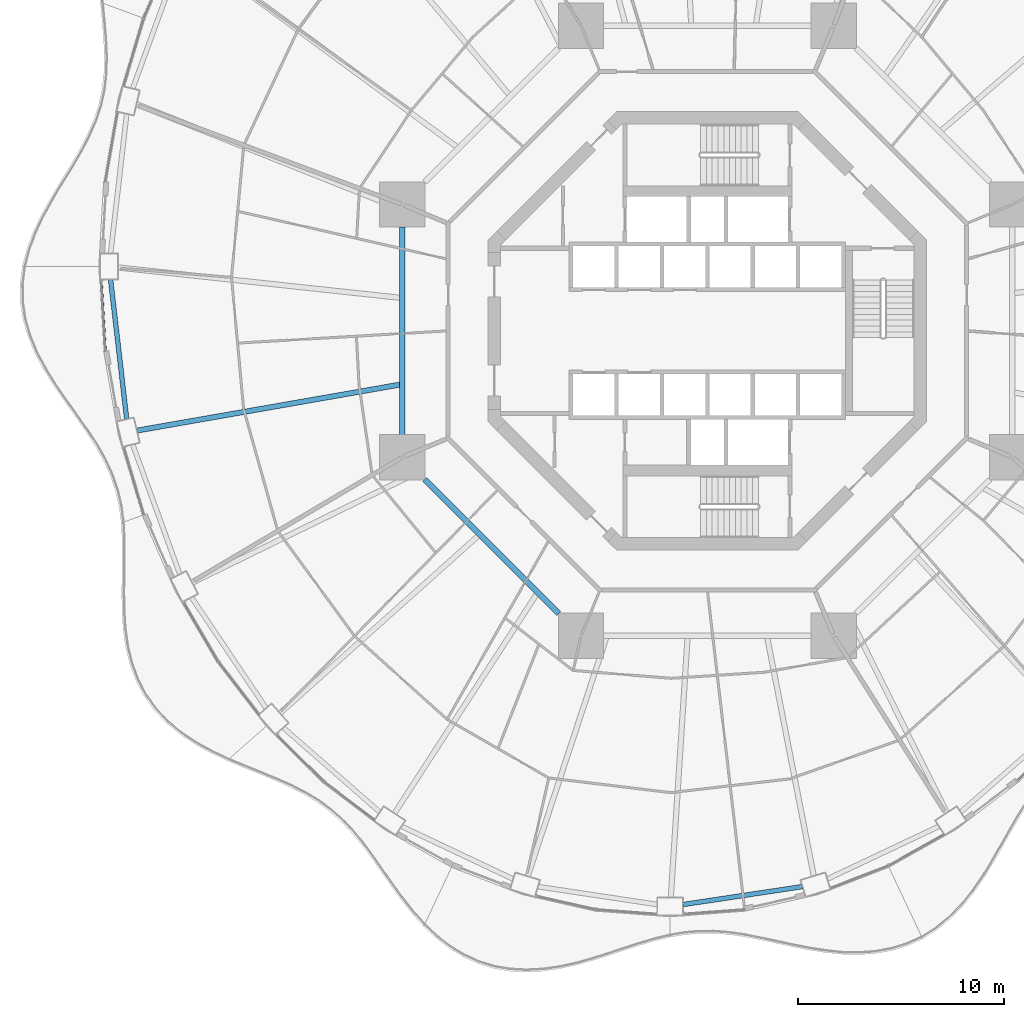
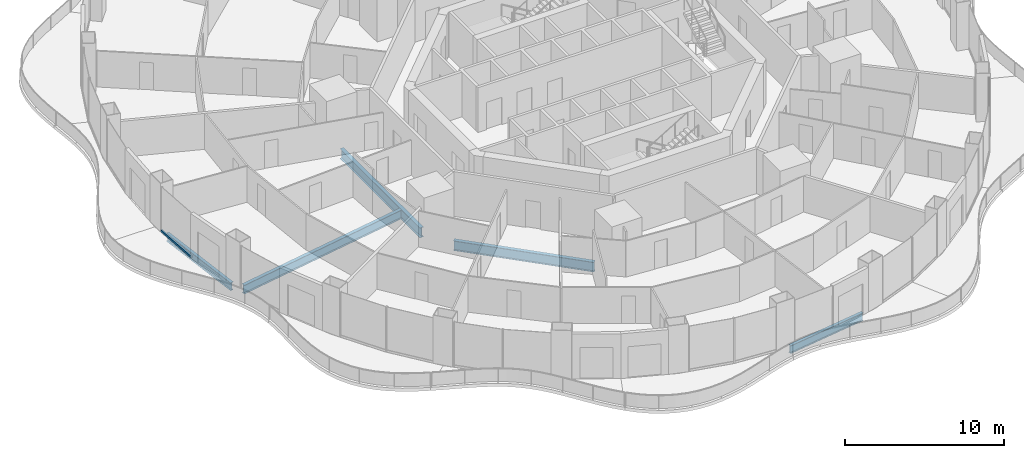
# One storey, part 4 of 22: 5 beams, 1 member, 1 element without a shape of its own.
"""IFC4 building model written with IfcOpenShell, lengths in metres."""

from ifc_helpers import new_model, si_unit, direction, frame, origin, origin_2d, place, context, subcontext, project, spatial, rectangle, i_section, extrude, material, layer, layer_set, material_profile, profile_set, type_object, element, aggregate, save


model = new_model("IFC4")

# Units and contexts
model_context = context("Model", 3, precision=1e-05, world=origin(), true_north=direction((0.0, 1.0)))
body_context = subcontext(model_context, "Body", "Model", "MODEL_VIEW")
ifc_project = project(units=[si_unit("LENGTHUNIT", "METRE"), si_unit("AREAUNIT", "SQUARE_METRE"), si_unit("VOLUMEUNIT", "CUBIC_METRE"), si_unit("PLANEANGLEUNIT", "RADIAN"), si_unit("MASSUNIT", "GRAM", prefix="KILO")], contexts=[model_context])

# Site, building, storey
site_placement = place(None, origin())
site = spatial("IfcSite", under=ifc_project, at=site_placement, CompositionType="ELEMENT")
building_placement = place(site_placement, origin())
building = spatial("IfcBuilding", under=site, at=building_placement, Name="Nagisa Residences", CompositionType="ELEMENT")
storey_placement = place(building_placement, frame((0.0, 0.0, 91.800048828125)))
storey = spatial("IfcBuildingStorey", under=building, at=storey_placement, Name="L22", CompositionType="ELEMENT", Elevation=91.800048828125)

# Curtain wall, member
ifc_material_1 = material(Name="Concrete-coloured aluminium curtain wall system", Category="concrete")
ifc_layer = layer(ifc_material_1, 0.159912109375)
ifc_layer_set = layer_set([ifc_layer], Name="CW1 CURTAIN WALL")
curtain_wall_type = type_object("IfcCurtainWallType", Name="CW1 CURTAIN WALL", PredefinedType="NOTDEFINED", material=ifc_layer_set)
curtain_wall_placement = place(storey_placement, origin())
curtain_wall = element("IfcCurtainWall", 1, at=curtain_wall_placement, inside=storey, type_object=curtain_wall_type, Name="cw:CW1:L22:24", PredefinedType="NOTDEFINED")
ifc_material_2 = material(Name="Concrete-coloured aluminium", Category="concrete")
ifc_material_profile_1 = material_profile(ifc_material_2, rectangle(XDim=0.1201171875, YDim=0.14990234375, at=origin_2d()), Name="CW1 TRANSOM 120x150")
ifc_profile_set_1 = profile_set([ifc_material_profile_1], Name="Concrete-coloured aluminium")
member_type = type_object("IfcMemberType", Name="CW1 TRANSOM 120x150", PredefinedType="USERDEFINED", material=ifc_profile_set_1)
member_placement = place(storey_placement, frame((-29.377685546875, 2.473388671875, 0.074951171875), z_axis=(0.057476526179, -0.99834685803, 0.0), x_axis=(0.99834685803, 0.057476526179, 0.0)))
member = element("IfcMember", 2, at=member_placement, type_object=member_type, Name="CW1 transom", ObjectType="TRANSOM", PredefinedType="USERDEFINED", context=body_context, shape_type="SweptSolid", body=[
    extrude(rectangle(XDim=0.1201171875, YDim=0.14990234375, at=origin_2d()), origin(), (0.0, 0.0, 1.0), 3.47021484375),
])
aggregate(curtain_wall, [member])

# Beams
ifc_material_3 = material(Name="Steel ASTM A572 Gr 50", Category="steel")
ifc_material_profile_2 = material_profile(ifc_material_3, i_section(OverallWidth=0.264892578125, OverallDepth=0.7529296875, WebThickness=0.01318359375, FlangeThickness=0.01708984375, at=origin_2d()), Name="W760x147")
ifc_profile_set_2 = profile_set([ifc_material_profile_2], Name="Steel ASTM A572 Gr 50")
beam_type_1 = type_object("IfcBeamType", Name="Inner ring beam W760x147", PredefinedType="BEAM", material=ifc_profile_set_2)
beam_1_placement = place(storey_placement, frame((-14.781982421875, 5.04296875, -0.636474609375), z_axis=(0.0, -1.0, 0.0), x_axis=(1.0, 0.0, 0.0)))
element("IfcBeam", 3, at=beam_1_placement, inside=storey, type_object=beam_type_1, Name="beam:L22:ib4", PredefinedType="BEAM", context=body_context, shape_type="SweptSolid", body=[
    extrude(i_section(OverallWidth=0.264892578125, OverallDepth=0.7529296875, WebThickness=0.01318359375, FlangeThickness=0.01708984375, at=origin_2d()), origin(), (0.0, 0.0, 1.0), 10.0859375),
])
beam_2_placement = place(storey_placement, frame((-13.6962890625, -7.208740234375, -0.636474609375), z_axis=(0.707106781187, -0.707106781187, 0.0), x_axis=(0.707106781187, 0.707106781187, 0.0)))
element("IfcBeam", 4, at=beam_2_placement, inside=storey, type_object=beam_type_1, Name="beam:L22:ib5", PredefinedType="BEAM", context=body_context, shape_type="SweptSolid", body=[
    extrude(i_section(OverallWidth=0.264892578125, OverallDepth=0.7529296875, WebThickness=0.01318359375, FlangeThickness=0.01708984375, at=origin_2d()), origin(), (0.0, 0.0, 1.0), 9.1748046875),
])
ifc_material_4 = material(Name="Steel ASTM A572 Gr 50", Category="steel")
ifc_material_profile_3 = material_profile(ifc_material_4, i_section(OverallWidth=0.22802734375, OverallDepth=0.60302734375, WebThickness=0.010498046875, FlangeThickness=0.014892578125, at=origin_2d()), Name="W610x101")
ifc_profile_set_3 = profile_set([ifc_material_profile_3], Name="Steel ASTM A572 Gr 50")
beam_type_2 = type_object("IfcBeamType", Name="Perimeter ring beam W610x101", PredefinedType="BEAM", material=ifc_profile_set_3)
beam_3_placement = place(storey_placement, frame((-28.92236328125, 2.487548828125, -0.5615234375), z_axis=(0.114690766503, -0.993401242237, 0.0), x_axis=(0.993401242237, 0.114690766503, 0.0)))
element("IfcBeam", 5, at=beam_3_placement, inside=storey, type_object=beam_type_2, Name="beam:L22:pb13", PredefinedType="BEAM", context=body_context, shape_type="SweptSolid", body=[
    extrude(i_section(OverallWidth=0.22802734375, OverallDepth=0.60302734375, WebThickness=0.010498046875, FlangeThickness=0.014892578125, at=origin_2d()), origin(), (0.0, 0.0, 1.0), 6.811767578125),
])
beam_4_placement = place(storey_placement, frame((-1.169677734375, -27.802734375, -0.5615234375), z_axis=(0.988913048607, 0.148495731568, 0.0), x_axis=(-0.148495731568, 0.988913048607, 0.0)))
element("IfcBeam", 6, at=beam_4_placement, inside=storey, type_object=beam_type_2, Name="beam:L22:pb19", PredefinedType="BEAM", context=body_context, shape_type="SweptSolid", body=[
    extrude(i_section(OverallWidth=0.22802734375, OverallDepth=0.60302734375, WebThickness=0.010498046875, FlangeThickness=0.014892578125, at=origin_2d()), origin(), (0.0, 0.0, 1.0), 5.843017578125),
])
ifc_material_5 = material(Name="Steel ASTM A572 Gr 50", Category="steel")
ifc_material_profile_4 = material_profile(ifc_material_5, i_section(OverallWidth=0.2529296875, OverallDepth=0.677978515625, WebThickness=0.01171875, FlangeThickness=0.016357421875, at=origin_2d()), Name="W690x125")
ifc_profile_set_4 = profile_set([ifc_material_profile_4], Name="Steel ASTM A572 Gr 50")
beam_type_3 = type_object("IfcBeamType", Name="Radial beam W690x125", PredefinedType="BEAM", material=ifc_profile_set_4)
beam_5_placement = place(storey_placement, frame((-27.64404296875, -4.83544921875, -0.59912109375), z_axis=(0.985042235616, 0.172313069883, 0.0), x_axis=(-0.172313069883, 0.985042235616, 0.0)))
element("IfcBeam", 7, at=beam_5_placement, inside=storey, type_object=beam_type_3, Name="beam:L22:rb14", PredefinedType="BEAM", context=body_context, shape_type="SweptSolid", body=[
    extrude(i_section(OverallWidth=0.2529296875, OverallDepth=0.677978515625, WebThickness=0.01171875, FlangeThickness=0.016357421875, at=origin_2d()), origin(), (0.0, 0.0, 1.0), 12.94287109375),
])

save(model, "model.ifc")
